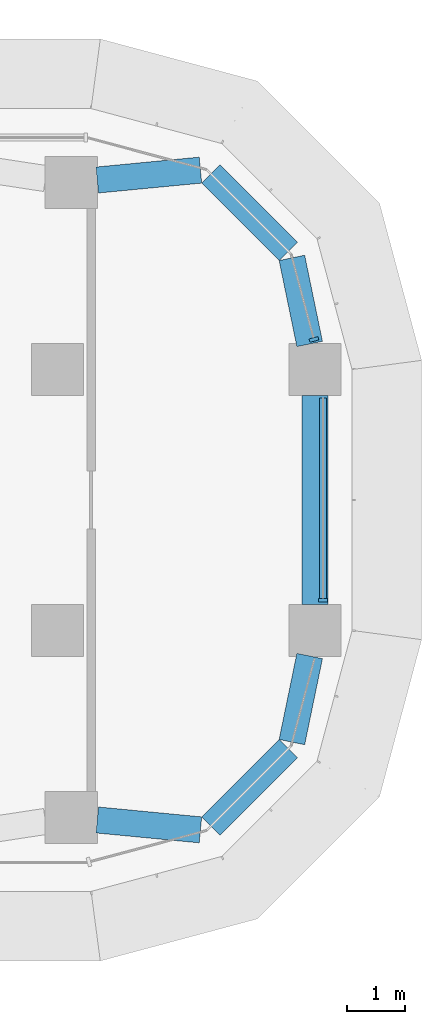
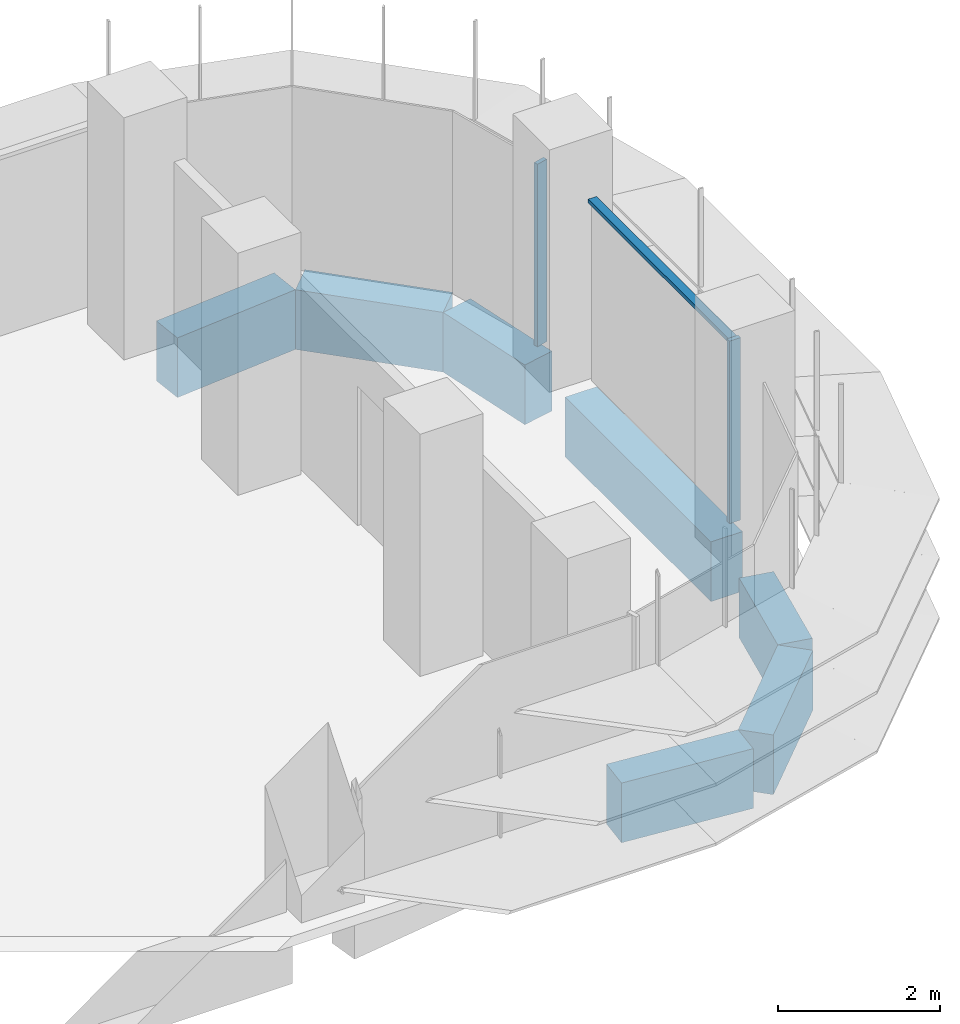
# One storey, part 10 of 22: 7 beams, 3 members, 2 elements without a shape of their own.
"""IFC4 building model written with IfcOpenShell, lengths in metres."""

from ifc_helpers import new_model, si_unit, direction, frame, origin, origin_2d, place, context, subcontext, project, spatial, polyline, rectangle, outline, extrude, source, transform, mapped, material, material_profile, profile_set, type_object, element, aggregate, save


model = new_model("IFC4")

# Units and contexts
model_context = context("Model", 3, precision=1e-05, world=origin(), true_north=direction((0.0, 1.0)))
body_context = subcontext(model_context, "Body", "Model", "MODEL_VIEW")
ifc_project = project(units=[si_unit("LENGTHUNIT", "METRE"), si_unit("AREAUNIT", "SQUARE_METRE"), si_unit("VOLUMEUNIT", "CUBIC_METRE"), si_unit("PLANEANGLEUNIT", "RADIAN"), si_unit("MASSUNIT", "GRAM", prefix="KILO")], contexts=[model_context])

# Site, building, storey
site_placement = place(None, origin())
site = spatial("IfcSite", under=ifc_project, at=site_placement, CompositionType="ELEMENT")
building_placement = place(site_placement, origin())
building = spatial("IfcBuilding", under=site, at=building_placement, Name="Zarbagh Exchange Tower", CompositionType="ELEMENT")
storey_placement = place(building_placement, frame((0.0, 0.0, 101.800048828125)))
storey = spatial("IfcBuildingStorey", under=building, at=storey_placement, Name="L23", CompositionType="ELEMENT", Elevation=101.800048828125)

# Beams
ifc_material_1 = material(Name="Concrete C60/75", Category="concrete")
ifc_material_profile = material_profile(ifc_material_1, rectangle(XDim=0.449951171875, YDim=0.89990234375, at=origin_2d()), Name="RC spandrel beam 450 x 900 C60/75")
ifc_profile_set = profile_set([ifc_material_profile], Name="Concrete C60/75")
beam_type = type_object("IfcBeamType", Name="RC spandrel beam 450 x 900 C60/75", PredefinedType="SPANDREL", material=ifc_profile_set)
beam_1_placement = place(storey_placement, frame((29.35595703125, 5.51806640625, -0.60009765625), z_axis=(0.995433267802, 0.095459988228, 0.0), x_axis=(-0.095459988228, 0.995433267802, 0.0)))
element("IfcBeam", 1, at=beam_1_placement, inside=storey, type_object=beam_type, Name="RC spandrel beam", PredefinedType="SPANDREL", context=body_context, shape_type="SweptSolid", body=[
    extrude(rectangle(XDim=0.449951171875, YDim=0.89990234375, at=origin_2d()), origin(), (0.0, 0.0, 1.0), 1.78759765625),
])
beam_2_placement = place(storey_placement, frame((31.316162109375, 5.623779296875, -0.60009765625), z_axis=(0.707106781187, -0.707106781187, 0.0), x_axis=(0.707106781187, 0.707106781187, 0.0)))
element("IfcBeam", 2, at=beam_2_placement, inside=storey, type_object=beam_type, Name="RC spandrel beam", PredefinedType="SPANDREL", context=body_context, shape_type="SweptSolid", body=[
    extrude(rectangle(XDim=0.449951171875, YDim=0.89990234375, at=origin_2d()), origin(), (0.0, 0.0, 1.0), 1.887939453125),
])
beam_3_placement = place(storey_placement, frame((32.71240234375, 4.17529296875, -0.60009765625), z_axis=(0.202275417995, -0.979328675816, 0.0), x_axis=(0.979328675816, 0.202275417995, 0.0)))
element("IfcBeam", 3, at=beam_3_placement, inside=storey, type_object=beam_type, Name="RC spandrel beam", PredefinedType="SPANDREL", context=body_context, shape_type="SweptSolid", body=[
    extrude(rectangle(XDim=0.449951171875, YDim=0.89990234375, at=origin_2d()), origin(), (0.0, 0.0, 1.0), 1.515869140625),
])
beam_4_placement = place(storey_placement, frame((33.110107421875, 1.800048828125, -0.60009765625), z_axis=(0.0, -1.0, 0.0), x_axis=(1.0, 0.0, 0.0)))
element("IfcBeam", 4, at=beam_4_placement, inside=storey, type_object=beam_type, Name="RC spandrel beam", PredefinedType="SPANDREL", context=body_context, shape_type="SweptSolid", body=[
    extrude(rectangle(XDim=0.449951171875, YDim=0.89990234375, at=origin_2d()), origin(), (0.0, 0.0, 1.0), 3.60009765625),
])
beam_5_placement = place(storey_placement, frame((33.01904296875, -2.690673828125, -0.60009765625), z_axis=(-0.202275417995, -0.979328675816, 0.0), x_axis=(0.979328675816, -0.202275417995, 0.0)))
element("IfcBeam", 5, at=beam_5_placement, inside=storey, type_object=beam_type, Name="RC spandrel beam", PredefinedType="SPANDREL", context=body_context, shape_type="SweptSolid", body=[
    extrude(rectangle(XDim=0.449951171875, YDim=0.89990234375, at=origin_2d()), origin(), (0.0, 0.0, 1.0), 1.515869140625),
])
beam_6_placement = place(storey_placement, frame((32.651123046875, -4.288818359375, -0.60009765625), z_axis=(-0.707106781187, -0.707106781187, 0.0), x_axis=(0.707106781187, -0.707106781187, 0.0)))
element("IfcBeam", 6, at=beam_6_placement, inside=storey, type_object=beam_type, Name="RC spandrel beam", PredefinedType="SPANDREL", context=body_context, shape_type="SweptSolid", body=[
    extrude(rectangle(XDim=0.449951171875, YDim=0.89990234375, at=origin_2d()), origin(), (0.0, 0.0, 1.0), 1.887939453125),
])
beam_7_placement = place(storey_placement, frame((31.135498046875, -5.688720703125, -0.60009765625), z_axis=(-0.995433267802, 0.095459988228, 0.0), x_axis=(-0.095459988228, -0.995433267802, 0.0)))
element("IfcBeam", 7, at=beam_7_placement, inside=storey, type_object=beam_type, Name="RC spandrel beam", PredefinedType="SPANDREL", context=body_context, shape_type="SweptSolid", body=[
    extrude(rectangle(XDim=0.449951171875, YDim=0.89990234375, at=origin_2d()), origin(), (0.0, 0.0, 1.0), 1.78759765625),
])

# Curtain wall, member
ifc_material_2 = material(Name="Anodised aluminium frame and glazing", Category="aluminium")
curtain_wall_type = type_object("IfcCurtainWallType", Name="CWA Ribbon glazing, lower zones", PredefinedType="NOTDEFINED", material=ifc_material_2)
curtain_wall_1_placement = place(storey_placement, origin())
curtain_wall_1 = element("IfcCurtainWall", 8, at=curtain_wall_1_placement, inside=storey, type_object=curtain_wall_type, Name="CWA12 curtain wall", PredefinedType="NOTDEFINED")
ifc_material_3 = material(Name="Anodised aluminium frame", Category="aluminium")
member_type_1 = type_object("IfcMemberType", Name="MUA Mullion, anodised aluminium frame", PredefinedType="MULLION", material=ifc_material_3)
shared_shape_1 = source(origin(), body_context, "Body", "SweptSolid", [
    extrude(outline(polyline([(0.0, -0.080078125), (0.06005859375, -0.080078125), (0.06005859375, 0.080078125), (0.0, 0.080078125), (0.0, -0.080078125)])), origin(), (0.0, 0.0, 1.0), 2.75),
])
placement = place(storey_placement, origin())
member_1 = element("IfcMember", 9, at=placement, type_object=member_type_1, Name="CWA12 mullion 1.1", PredefinedType="MULLION", context=body_context, shape_type="MappedRepresentation", body=[
    mapped(shared_shape_1, transform((33.25, -1.760009765625, 0.0), x_axis=(0.0, 1.0, 0.0), y_axis=(-1.0, 0.0, 0.0), z_axis=(0.0, 0.0, 1.0))),
])

curtain_wall_2_placement = place(storey_placement, origin())
curtain_wall_2 = element("IfcCurtainWall", 10, at=curtain_wall_2_placement, inside=storey, type_object=curtain_wall_type, Name="CWA13 curtain wall", PredefinedType="NOTDEFINED")
member_2 = element("IfcMember", 11, at=placement, type_object=member_type_1, Name="CWA13 mullion 1.1", PredefinedType="MULLION", context=body_context, shape_type="MappedRepresentation", body=[
    mapped(shared_shape_1, transform((33.10107421875, 2.739990234375, 0.0), x_axis=(-0.258824779902, 0.965924289636, 0.0), y_axis=(-0.965924289636, -0.258824779902, 0.0), z_axis=(0.0, 0.0, 1.0))),
])
aggregate(curtain_wall_2, [member_2])

# Member
member_type_2 = type_object("IfcMemberType", Name="TRA Transom, anodised aluminium frame", PredefinedType="USERDEFINED", material=ifc_material_3)
shared_shape_2 = source(origin(), body_context, "Body", "SweptSolid", [
    extrude(outline(polyline([(-0.06005859375, -0.06005859375), (0.0, -0.06005859375), (0.0, 0.06005859375), (-0.06005859375, 0.06005859375), (-0.06005859375, -0.06005859375)])), origin(), (0.0, 0.0, 1.0), 3.4599609375),
])
member_3 = element("IfcMember", 12, at=placement, type_object=member_type_2, Name="CWA12 transom 1.1", ObjectType="TRANSOM", PredefinedType="USERDEFINED", context=body_context, shape_type="MappedRepresentation", body=[
    mapped(shared_shape_2, transform((33.25, -1.699951171875, 2.75), x_axis=(0.0, 0.0, 1.0), y_axis=(1.0, 0.0, 0.0), z_axis=(0.0, 1.0, 0.0))),
])

aggregate(curtain_wall_1, [member_1, member_3])

save(model, "model.ifc")
